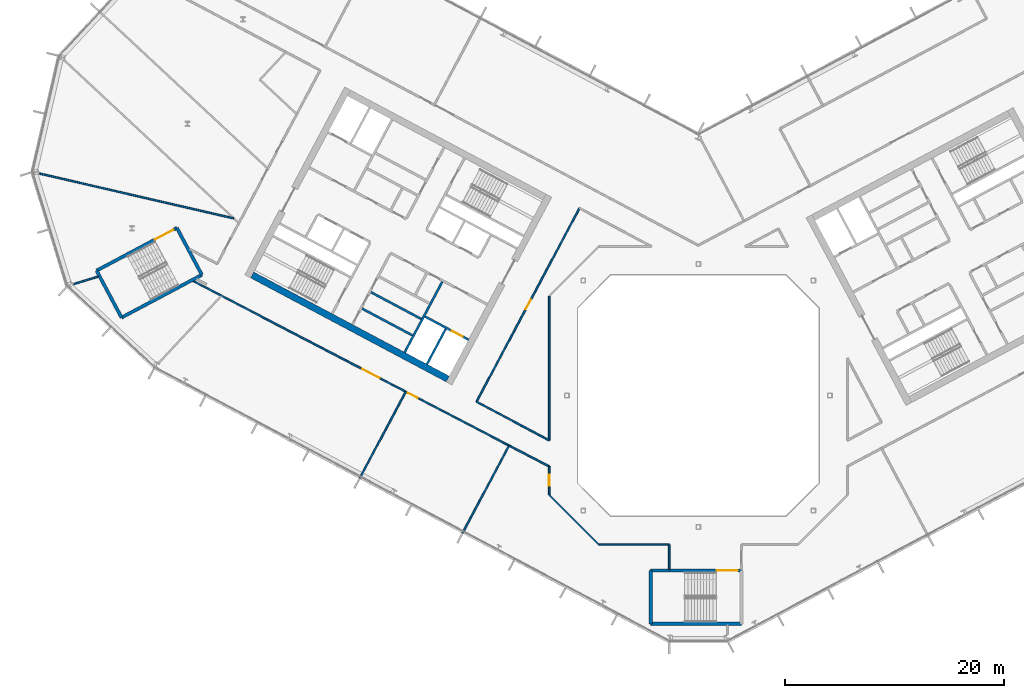
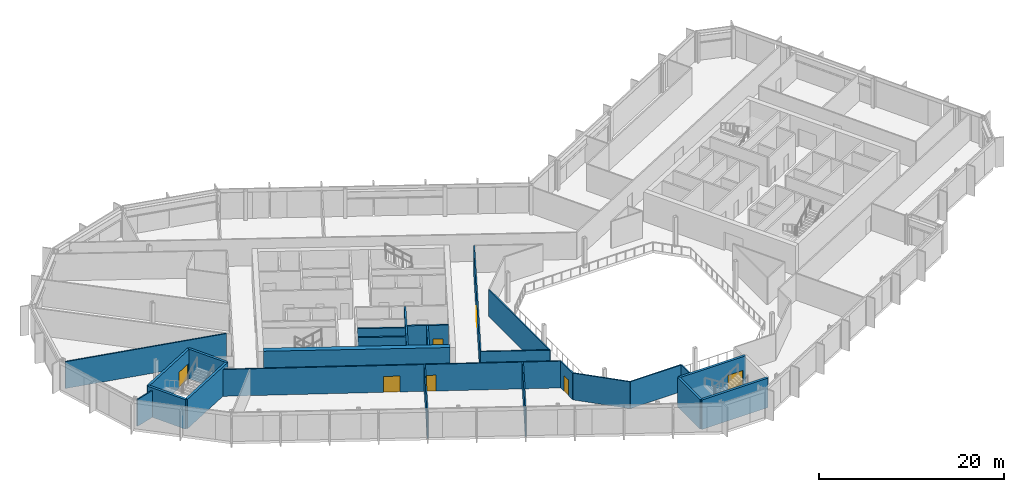
# One storey, part 13 of 27: 25 walls, 7 doors, 7 openings.
"""IFC4 building model written with IfcOpenShell, lengths in metres."""

import ifcopenshell
import ifcopenshell.guid

model = None  # the IFC model being written
_history = None  # IfcOwnerHistory: only IFC2X3 demands one
_inside = {}  # id of a spatial element -> (the spatial element, [elements in it])
_under = {}  # id of a project, library or spatial element -> (it, [spatial elements below it])
_declared = {}  # id of a project -> (the project, [libraries it declares])
_typed = {}  # id of a type object -> (the type object, [elements of that type])
_made_of = {}  # id of a material, layer set ... -> (it, [elements and type objects made of it])


def new_model(schema):
    """Start an empty IFC model of exactly this schema.

    Asked for "IFC4X3", IfcOpenShell would pick the latest addendum, in which some entities
    have other attributes; the version numbers below select the first issue.
    IFC2X3 requires an IfcOwnerHistory on every rooted entity: one is made here for all.
    """
    global model, _history
    if schema == "IFC4X3":
        model = ifcopenshell.file(schema_version=(4, 3, 0, 0))
    else:
        model = ifcopenshell.file(schema=schema)
    _inside.clear()
    _under.clear()
    _declared.clear()
    _typed.clear()
    _made_of.clear()
    _history = None
    if model.schema == "IFC2X3":
        org = make("IfcOrganization", Name="unknown")
        user = make(
            "IfcPersonAndOrganization",
            ThePerson=make("IfcPerson", FamilyName="unknown"),
            TheOrganization=org,
        )
        app = make(
            "IfcApplication",
            ApplicationDeveloper=org,
            Version="unknown",
            ApplicationFullName="unknown",
            ApplicationIdentifier="unknown",
        )
        _history = make(
            "IfcOwnerHistory",
            OwningUser=user,
            OwningApplication=app,
            ChangeAction="ADDED",
            CreationDate=0,
        )
    return model


def make(cls, **values):
    """One entity of the class cls with the attributes given. An attribute that is None is left unset."""
    return model.create_entity(
        cls, **{name: value for name, value in values.items() if value is not None}
    )


def rooted(cls, **values):
    """An entity with a GlobalId (a new one), such as an element, a storey or a relation."""
    return make(cls, GlobalId=ifcopenshell.guid.new(), OwnerHistory=_history, **values)


def si_unit(unit_type, name, prefix=None):
    """IfcSIUnit, for example si_unit("LENGTHUNIT", "METRE", prefix="MILLI")."""
    return make("IfcSIUnit", UnitType=unit_type, Prefix=prefix, Name=name)


def assignment(units):
    """IfcUnitAssignment: the units of a project."""
    return None if units is None else make("IfcUnitAssignment", Units=units)


def point(xyz):
    """IfcCartesianPoint."""
    return None if xyz is None else make("IfcCartesianPoint", Coordinates=xyz)


def direction(xyz):
    """IfcDirection."""
    return None if xyz is None else make("IfcDirection", DirectionRatios=xyz)


def frame(location, z_axis=None, x_axis=None):
    """IfcAxis2Placement3D, a coordinate frame: its origin and axes. An axis left out is left unset."""
    return make(
        "IfcAxis2Placement3D",
        Location=point(location),
        Axis=direction(z_axis),
        RefDirection=direction(x_axis),
    )


def frame_2d(location, x_axis=None):
    """IfcAxis2Placement2D, a coordinate frame in the plane: its origin and x axis."""
    return make(
        "IfcAxis2Placement2D", Location=point(location), RefDirection=direction(x_axis)
    )


def origin():
    """The frame at (0, 0, 0) with its axes left unset."""
    return frame((0.0, 0.0, 0.0))


def place(relative_to, where):
    """IfcLocalPlacement: puts the frame where relative to a parent placement (None: the world)."""
    return make(
        "IfcLocalPlacement", PlacementRelTo=relative_to, RelativePlacement=where
    )


def context(
    kind, dimensions, precision=None, world=None, true_north=None, identifier=None
):
    """IfcGeometricRepresentationContext, for example the 3D "Model" context."""
    return make(
        "IfcGeometricRepresentationContext",
        ContextIdentifier=identifier,
        ContextType=kind,
        CoordinateSpaceDimension=dimensions,
        Precision=precision,
        WorldCoordinateSystem=world,
        TrueNorth=true_north,
    )


def subcontext(parent, identifier, kind, view, scale=None):
    """IfcGeometricRepresentationSubContext, for example "Body" below "Model"."""
    return make(
        "IfcGeometricRepresentationSubContext",
        ContextIdentifier=identifier,
        ContextType=kind,
        ParentContext=parent,
        TargetScale=scale,
        TargetView=view,
    )


def project(units=None, contexts=None):
    """IfcProject with its units and contexts."""
    return rooted(
        "IfcProject",
        Name="project",
        RepresentationContexts=contexts,
        UnitsInContext=assignment(units),
    )


def spatial(cls, under=None, at=None, **own):
    """A site, building, storey or space (cls), placed at a placement, below another one or the project."""
    s = rooted(cls, ObjectPlacement=at, **own)
    if under is not None:
        _under.setdefault(under.id(), (under, []))[1].append(s)
    return s


def profile(cls, at=None, kind="AREA", **sizes):
    """A parametric profile (cls). Its sizes go by their IFC names, for example OverallWidth=200.0."""
    return make(cls, ProfileType=kind, Position=at, **sizes)


def rectangle(**sizes):
    """IfcRectangleProfileDef."""
    return profile("IfcRectangleProfileDef", **sizes)


def extrude(swept, where, along, depth):
    """IfcExtrudedAreaSolid: the profile swept, set in the frame where, extruded along a direction by depth."""
    return make(
        "IfcExtrudedAreaSolid",
        SweptArea=swept,
        Position=where,
        ExtrudedDirection=direction(along),
        Depth=depth,
    )


def shape(context_of_items, identifier, shape_type, items):
    """IfcShapeRepresentation: the items that make up one representation, for example the "Body"."""
    return make(
        "IfcShapeRepresentation",
        ContextOfItems=context_of_items,
        RepresentationIdentifier=identifier,
        RepresentationType=shape_type,
        Items=items,
    )


def material(Name=None, Category=None):
    """IfcMaterial."""
    return make("IfcMaterial", Name=Name, Category=Category)


def layer(
    of_material, thickness, ventilated=None, Name=None, Category=None, Priority=None
):
    """IfcMaterialLayer: one layer of a wall or slab, of a material (None: an air gap)."""
    return make(
        "IfcMaterialLayer",
        Material=of_material,
        LayerThickness=thickness,
        IsVentilated=ventilated,
        Name=Name,
        Category=Category,
        Priority=Priority,
    )


def layer_set(layers, Name=None):
    """IfcMaterialLayerSet."""
    return make("IfcMaterialLayerSet", MaterialLayers=layers, LayerSetName=Name)


def made_of(thing, what):
    """Note that an element or type object is made of a material, layer set ...; save() writes the relation."""
    if what is not None:
        _made_of.setdefault(what.id(), (what, []))[1].append(thing)
    return thing


def type_object(cls, material=None, **own):
    """A type object (cls), such as IfcWallType, which elements share."""
    return made_of(rooted(cls, **own), material)


def element(
    cls,
    number,
    at=None,
    inside=None,
    cuts=None,
    type_object=None,
    material=None,
    context=None,
    identifier="Body",
    shape_type=None,
    held_by="IfcProductDefinitionShape",
    body=None,
    shapes=None,
    **own,
):
    """One element of the class cls, such as IfcWall. Its Tag is "e" and its number.

    at: its placement. inside: the storey or other place that contains it. cuts: it is an
    opening in that element (IfcRelVoidsElement). A single representation is given by context,
    identifier, shape_type and body (its items); several are given by shapes. held_by: the class
    of the entity that holds the representations. save() writes the other relations.
    """
    e = rooted(cls, Tag="e%d" % number, ObjectPlacement=at, **own)
    if body is not None:
        shapes = [shape(context, identifier, shape_type, body)]
    if shapes is not None:
        e.Representation = make(held_by, Representations=shapes)
    if inside is not None:
        _inside.setdefault(inside.id(), (inside, []))[1].append(e)
    if cuts is not None:
        rooted(
            "IfcRelVoidsElement", RelatingBuildingElement=cuts, RelatedOpeningElement=e
        )
    if type_object is not None:
        _typed.setdefault(type_object.id(), (type_object, []))[1].append(e)
    return made_of(e, material)


def fill(opening, filler):
    """IfcRelFillsElement: the door or window that sits in an opening."""
    return rooted(
        "IfcRelFillsElement",
        RelatingOpeningElement=opening,
        RelatedBuildingElement=filler,
    )


def aggregate(whole, parts):
    """IfcRelAggregates: a whole, such as a stair, and the parts it consists of."""
    return rooted("IfcRelAggregates", RelatingObject=whole, RelatedObjects=parts)


def save(model, path):
    """Write the relations noted so far, then the file.

    IfcRelAggregates (storeys below a building ...), IfcRelContainedInSpatialStructure (elements
    in a storey), IfcRelDefinesByType, IfcRelAssociatesMaterial and IfcRelDeclares: one each for
    every whole, place, type object, material and project.
    """
    for whole, parts in _under.values():
        aggregate(whole, parts)
    for where, things in _inside.values():
        rooted(
            "IfcRelContainedInSpatialStructure",
            RelatedElements=things,
            RelatingStructure=where,
        )
    for kind, things in _typed.values():
        rooted("IfcRelDefinesByType", RelatedObjects=things, RelatingType=kind)
    for what, things in _made_of.values():
        rooted("IfcRelAssociatesMaterial", RelatedObjects=things, RelatingMaterial=what)
    for by, libraries in _declared.values():
        rooted("IfcRelDeclares", RelatingContext=by, RelatedDefinitions=libraries)
    model.write(path)


model = new_model("IFC4")

# Units and contexts
model_context = context("Model", 3, precision=1e-05, world=origin(), true_north=direction((0.0, 1.0)))
body_context = subcontext(model_context, "Body", "Model", "MODEL_VIEW")
ifc_project = project(units=[si_unit("LENGTHUNIT", "METRE"), si_unit("AREAUNIT", "SQUARE_METRE"), si_unit("VOLUMEUNIT", "CUBIC_METRE"), si_unit("PLANEANGLEUNIT", "RADIAN"), si_unit("MASSUNIT", "GRAM", prefix="KILO")], contexts=[model_context])

# Site, building, storey
site_placement = place(None, origin())
site = spatial("IfcSite", under=ifc_project, at=site_placement, CompositionType="ELEMENT")
building_placement = place(site_placement, origin())
building = spatial("IfcBuilding", under=site, at=building_placement, Name="Cormorant Relay Tower", CompositionType="ELEMENT")
storey_placement = place(building_placement, frame((0.0, 0.0, 216.89990234375)))
storey = spatial("IfcBuildingStorey", under=building, at=storey_placement, Name="L47", CompositionType="ELEMENT", Elevation=216.89990234375)

# Walls
ifc_material_1 = material(Name="Concrete 40 MPa", Category="concrete")
ifc_layer_1 = layer(ifc_material_1, 0.199951171875)
ifc_layer_set_1 = layer_set([ifc_layer_1], Name="Core internal wall 200")
wall_type_1 = type_object("IfcWallType", Name="Core internal wall 200", PredefinedType="SOLIDWALL", material=ifc_layer_set_1)
for number, where, z_axis, x_axis, name in (
    (1, (-25.279541015625, 6.985595703125, 0.0), (0.0, 0.0, 1.0), (-0.882934506056, 0.469496174655, 0.0), "L47 core A shaft and room wall"),
    (2, (-26.07763671875, 5.484619140625, 0.0), (0.0, 0.0, 1.0), (-0.882934506056, 0.469496174655, 0.0), "L47 core A shaft and room wall"),
):
    element("IfcWall", number, at=place(storey_placement, frame(where, z_axis=z_axis, x_axis=x_axis)), inside=storey, type_object=wall_type_1, Name=name, PredefinedType="SOLIDWALL", context=body_context, shape_type="SweptSolid", body=[
        extrude(rectangle(XDim=5.199951171875, YDim=0.199951171875, at=frame_2d((2.60009765625, 0.0))), origin(), (0.0, 0.0, 1.0), 3.900146484375),
    ])
ifc_material_2 = material(Name="Concrete 50 MPa", Category="concrete")
ifc_layer_2 = layer(ifc_material_2, 0.199951171875)
ifc_layer_set_2 = layer_set([ifc_layer_2], Name="Core shaft wall 200")
wall_type_2 = type_object("IfcWallType", Name="Core shaft wall 200", PredefinedType="SHEAR", material=ifc_layer_set_2)
wall_1_placement = place(storey_placement, frame((-23.04296875, 6.07958984375, 0.0), z_axis=(0.0, 0.0, 1.0), x_axis=(-0.469494272526, -0.882935517501, 0.0)))
element("IfcWall", 3, at=wall_1_placement, inside=storey, type_object=wall_type_2, Name="L47 core A shaft wall", PredefinedType="SHEAR", context=body_context, shape_type="SweptSolid", body=[
    extrude(rectangle(XDim=3.64990234375, YDim=0.199951171875, at=frame_2d((1.824951171875, 0.0))), origin(), (0.0, 0.0, 1.0), 3.900146484375),
])
wall_2_placement = place(storey_placement, frame((-23.360107421875, 10.38232421875, 0.0), z_axis=(0.0, 0.0, 1.0), x_axis=(-0.469480409012, -0.88294288918, 0.0)))
element("IfcWall", 4, at=wall_2_placement, inside=storey, type_object=wall_type_2, Name="L47 core A shaft wall", PredefinedType="SHEAR", context=body_context, shape_type="SweptSolid", body=[
    extrude(rectangle(XDim=7.300048828125, YDim=0.199951171875, at=frame_2d((3.64990234375, 0.0))), origin(), (0.0, 0.0, 1.0), 3.900146484375),
])

# Wall, opening, door
wall_3_placement = place(storey_placement, frame((-20.96533203125, 5.088134765625, 0.0), z_axis=(0.0, 0.0, 1.0), x_axis=(-0.882925986334, 0.469512196493, 0.0)))
wall_3 = element("IfcWall", 5, at=wall_3_placement, inside=storey, type_object=wall_type_2, Name="L47 core A shaft wall", PredefinedType="SHEAR", context=body_context, shape_type="SweptSolid", body=[
    extrude(rectangle(XDim=4.5, YDim=0.199951171875, at=frame_2d((2.25, 0.0))), origin(), (0.0, 0.0, 1.0), 3.900146484375),
])
opening_1_placement = place(wall_3_placement, frame((0.60009765625, 0.0, 0.0)))
opening_1 = element("IfcOpeningElement", 6, at=opening_1_placement, cuts=wall_3, Name="Opening LD1-063", PredefinedType="OPENING", context=body_context, shape_type="SweptSolid", body=[
    extrude(rectangle(XDim=1.10009765625, YDim=2.10009765625, at=frame_2d((0.550048828125, 1.050048828125))), frame((0.0, 0.10986328125, 0.0), z_axis=(0.0, -1.0, 0.0), x_axis=(1.0, 0.0, 0.0)), (0.0, 0.0, 1.0), 0.219970703125),
])
ifc_material_3 = material(Name="Stainless steel 316", Category="steel")
door_type_1 = type_object("IfcDoorType", Name="Lift landing door 1100x2100", OperationType="DOUBLE_DOOR_SLIDING", PredefinedType="DOOR", material=ifc_material_3)
door_1_placement = place(opening_1_placement, origin())
door_1 = element("IfcDoor", 7, at=door_1_placement, inside=storey, type_object=door_type_1, Name="FF1 landing door", OperationType="DOUBLE_DOOR_SLIDING", OverallHeight=2.10009765625, OverallWidth=1.10009765625, PredefinedType="DOOR", context=body_context, shape_type="SweptSolid", body=[
    extrude(rectangle(XDim=1.10009765625, YDim=2.10009765625, at=frame_2d((0.550048828125, 1.050048828125))), frame((0.0, 0.02490234375, 0.0), z_axis=(0.0, -1.0, 0.0), x_axis=(1.0, 0.0, 0.0)), (0.0, 0.0, 1.0), 0.050048828125),
])
fill(opening_1, door_1)

# Wall
ifc_material_4 = material(Name="Concrete 50 MPa", Category="concrete")
ifc_layer_3 = layer(ifc_material_4, 0.60009765625)
ifc_layer_set_3 = layer_set([ifc_layer_3], Name="Core wall 600")
wall_type_3 = type_object("IfcWallType", Name="Core wall 600", PredefinedType="SHEAR", material=ifc_layer_set_3)
wall_4_placement = place(storey_placement, frame((-22.86669921875, 1.51220703125, 0.0), z_axis=(0.0, 0.0, 1.0), x_axis=(-0.88294509198, 0.469476266226, 0.0)))
element("IfcWall", 8, at=wall_4_placement, inside=storey, type_object=wall_type_3, Name="L47 core A wall", PredefinedType="SHEAR", context=body_context, shape_type="SweptSolid", body=[
    extrude(rectangle(XDim=20.199951171875, YDim=0.60009765625, at=frame_2d((10.10009765625, 0.0))), origin(), (0.0, 0.0, 1.0), 3.900146484375),
])

# Wall, opening, door
ifc_material_5 = material(Name="Gypsum board fire partition")
ifc_layer_4 = layer(ifc_material_5, 0.14990234375)
ifc_layer_set_4 = layer_set([ifc_layer_4], Name="Corridor partition 150 EI 60")
wall_type_4 = type_object("IfcWallType", Name="Corridor partition 150 EI 60", PredefinedType="PARTITIONING", material=ifc_layer_set_4)
wall_5_placement = place(storey_placement, frame((-13.60009765625, -9.076904296875, 0.0), z_axis=(0.0, 0.0, 1.0), x_axis=(0.0, 1.0, 0.0)))
wall_5 = element("IfcWall", 9, at=wall_5_placement, inside=storey, type_object=wall_type_4, Name="wall/L47/part/015", PredefinedType="PARTITIONING", context=body_context, shape_type="SweptSolid", body=[
    extrude(rectangle(XDim=2.60400390625, YDim=0.14990234375, at=frame_2d((1.302001953125, 0.0))), origin(), (0.0, 0.0, 1.0), 3.5400390625),
])
opening_2_placement = place(wall_5_placement, frame((0.85009765625, 0.0, 0.0)))
opening_2 = element("IfcOpeningElement", 10, at=opening_2_placement, cuts=wall_5, Name="Opening DS-145", PredefinedType="OPENING", context=body_context, shape_type="SweptSolid", body=[
    extrude(rectangle(XDim=1.0, YDim=2.10009765625, at=frame_2d((0.5, 1.050048828125))), frame((0.0, 0.0849609375, 0.0), z_axis=(0.0, -1.0, 0.0), x_axis=(1.0, 0.0, 0.0)), (0.0, 0.0, 1.0), 0.169921875),
])
ifc_material_6 = material(Name="Timber door leaf", Category="wood")
door_type_2 = type_object("IfcDoorType", Name="Suite door 1000x2100", OperationType="SINGLE_SWING_LEFT", PredefinedType="DOOR", material=ifc_material_6)
door_2_placement = place(opening_2_placement, origin())
door_2 = element("IfcDoor", 11, at=door_2_placement, inside=storey, type_object=door_type_2, Name="door/L47/009", OperationType="SINGLE_SWING_RIGHT", OverallHeight=2.10009765625, OverallWidth=1.0, PredefinedType="DOOR", context=body_context, shape_type="SweptSolid", body=[
    extrude(rectangle(XDim=1.0, YDim=2.10009765625, at=frame_2d((0.5, 1.050048828125))), frame((0.0, 0.02490234375, 0.0), z_axis=(0.0, -1.0, 0.0), x_axis=(1.0, 0.0, 0.0)), (0.0, 0.0, 1.0), 0.050048828125),
])
fill(opening_2, door_2)

# Wall, openings, doors
wall_6_placement = place(storey_placement, frame((-13.60009765625, -6.472900390625, 0.0), z_axis=(0.0, 0.0, 1.0), x_axis=(-0.886887925569, 0.461984639874, 0.0)))
wall_6 = element("IfcWall", 12, at=wall_6_placement, inside=storey, type_object=wall_type_4, Name="wall/L47/part/016", PredefinedType="PARTITIONING", context=body_context, shape_type="SweptSolid", body=[
    extrude(rectangle(XDim=36.64599609375, YDim=0.14990234375, at=frame_2d((18.322998046875, 0.0))), origin(), (0.0, 0.0, 1.0), 3.5400390625),
])
opening_3_placement = place(wall_6_placement, frame((17.449951171875, 0.0, 0.0)))
opening_3 = element("IfcOpeningElement", 13, at=opening_3_placement, cuts=wall_6, Name="Opening DD-025", PredefinedType="OPENING", context=body_context, shape_type="SweptSolid", body=[
    extrude(rectangle(XDim=1.800048828125, YDim=2.10009765625, at=frame_2d((0.89990234375, 1.050048828125))), frame((0.0, 0.0849609375, 0.0), z_axis=(0.0, -1.0, 0.0), x_axis=(1.0, 0.0, 0.0)), (0.0, 0.0, 1.0), 0.169921875),
])
opening_4_placement = place(wall_6_placement, frame((13.550048828125, 0.0, 0.0)))
opening_4 = element("IfcOpeningElement", 14, at=opening_4_placement, cuts=wall_6, Name="Opening DS-144", PredefinedType="OPENING", context=body_context, shape_type="SweptSolid", body=[
    extrude(rectangle(XDim=1.0, YDim=2.10009765625, at=frame_2d((0.5, 1.050048828125))), frame((0.0, 0.0849609375, 0.0), z_axis=(0.0, -1.0, 0.0), x_axis=(1.0, 0.0, 0.0)), (0.0, 0.0, 1.0), 0.169921875),
])
door_3_placement = place(opening_4_placement, origin())
door_3 = element("IfcDoor", 15, at=door_3_placement, inside=storey, type_object=door_type_2, Name="door/L47/008", OperationType="SINGLE_SWING_RIGHT", OverallHeight=2.10009765625, OverallWidth=1.0, PredefinedType="DOOR", context=body_context, shape_type="SweptSolid", body=[
    extrude(rectangle(XDim=1.0, YDim=2.10009765625, at=frame_2d((0.5, 1.050048828125))), frame((0.0, 0.02490234375, 0.0), z_axis=(0.0, -1.0, 0.0), x_axis=(1.0, 0.0, 0.0)), (0.0, 0.0, 1.0), 0.050048828125),
])
fill(opening_4, door_3)
ifc_material_7 = material(Name="Timber door leaf", Category="wood")
door_type_3 = type_object("IfcDoorType", Name="Suite double door 1800x2100", OperationType="DOUBLE_DOOR_SINGLE_SWING", PredefinedType="DOOR", material=ifc_material_7)
door_4_placement = place(opening_3_placement, origin())
door_4 = element("IfcDoor", 16, at=door_4_placement, inside=storey, type_object=door_type_3, Name="door/L47/007", OperationType="DOUBLE_DOOR_SINGLE_SWING", OverallHeight=2.10009765625, OverallWidth=1.800048828125, PredefinedType="DOOR", context=body_context, shape_type="SweptSolid", body=[
    extrude(rectangle(XDim=1.800048828125, YDim=2.10009765625, at=frame_2d((0.89990234375, 1.050048828125))), frame((0.0, 0.02490234375, 0.0), z_axis=(0.0, -1.0, 0.0), x_axis=(1.0, 0.0, 0.0)), (0.0, 0.0, 1.0), 0.050048828125),
])
fill(opening_3, door_4)

# Walls
wall_7_placement = place(storey_placement, frame((-13.60009765625, -9.076904296875, 0.0), z_axis=(0.0, 0.0, 1.0), x_axis=(0.707106781187, -0.707106781187, 0.0)))
element("IfcWall", 17, at=wall_7_placement, inside=storey, type_object=wall_type_4, Name="wall/L47/part/023", PredefinedType="PARTITIONING", context=body_context, shape_type="SweptSolid", body=[
    extrude(rectangle(XDim=6.396728515625, YDim=0.14990234375, at=frame_2d((3.1982421875, 0.0))), origin(), (0.0, 0.0, 1.0), 3.5400390625),
])
wall_8_placement = place(storey_placement, frame((-2.64892578125, -15.875, 0.0), z_axis=(0.0, 0.0, 1.0), x_axis=(0.0, 1.0, 0.0)))
element("IfcWall", 18, at=wall_8_placement, inside=storey, type_object=wall_type_4, Name="wall/L47/part/024", PredefinedType="PARTITIONING", context=body_context, shape_type="SweptSolid", body=[
    extrude(rectangle(XDim=2.27490234375, YDim=0.14990234375, at=frame_2d((1.137451171875, 0.0))), origin(), (0.0, 0.0, 1.0), 3.5400390625),
])
wall_9_placement = place(storey_placement, frame((-2.64892578125, -13.60009765625, 0.0), z_axis=(0.0, 0.0, 1.0), x_axis=(-1.0, 0.0, 0.0)))
element("IfcWall", 19, at=wall_9_placement, inside=storey, type_object=wall_type_4, Name="wall/L47/part/025", PredefinedType="PARTITIONING", context=body_context, shape_type="SweptSolid", body=[
    extrude(rectangle(XDim=6.427978515625, YDim=0.14990234375, at=frame_2d((3.2138671875, 0.0))), origin(), (0.0, 0.0, 1.0), 3.5400390625),
])

# Wall, opening, door
wall_10_placement = place(storey_placement, frame((-20.235107421875, -0.56689453125, 0.0), z_axis=(0.0, 0.0, 1.0), x_axis=(0.469499398982, 0.882932791528, 0.0)))
wall_10 = element("IfcWall", 20, at=wall_10_placement, inside=storey, type_object=wall_type_4, Name="wall/L47/part/043", PredefinedType="PARTITIONING", context=body_context, shape_type="SweptSolid", body=[
    extrude(rectangle(XDim=20.000244140625, YDim=0.14990234375, at=frame_2d((10.0, 0.0))), origin(), (0.0, 0.0, 1.0), 3.5400390625),
])
opening_5_placement = place(wall_10_placement, frame((9.550048828125, 0.0, 0.0)))
opening_5 = element("IfcOpeningElement", 21, at=opening_5_placement, cuts=wall_10, Name="Opening DS-146", PredefinedType="OPENING", context=body_context, shape_type="SweptSolid", body=[
    extrude(rectangle(XDim=1.0, YDim=2.10009765625, at=frame_2d((0.5, 1.050048828125))), frame((0.0, 0.0849609375, 0.0), z_axis=(0.0, -1.0, 0.0), x_axis=(1.0, 0.0, 0.0)), (0.0, 0.0, 1.0), 0.169921875),
])
door_5_placement = place(opening_5_placement, frame((1.0, 0.0, 0.0), z_axis=(0.0, 0.0, 1.0), x_axis=(-1.0, 0.0, 0.0)))
door_5 = element("IfcDoor", 22, at=door_5_placement, inside=storey, type_object=door_type_2, Name="door/L47/010", OperationType="SINGLE_SWING_LEFT", OverallHeight=2.10009765625, OverallWidth=1.0, PredefinedType="DOOR", context=body_context, shape_type="SweptSolid", body=[
    extrude(rectangle(XDim=1.0, YDim=2.10009765625, at=frame_2d((0.5, 1.050048828125))), frame((0.0, 0.02490234375, 0.0), z_axis=(0.0, -1.0, 0.0), x_axis=(1.0, 0.0, 0.0)), (0.0, 0.0, 1.0), 0.050048828125),
])
fill(opening_5, door_5)

# Walls
wall_11_placement = place(storey_placement, frame((-13.60009765625, 9.076904296875, 0.0), z_axis=(0.0, 0.0, 1.0), x_axis=(0.0, -1.0, 0.0)))
element("IfcWall", 23, at=wall_11_placement, inside=storey, type_object=wall_type_4, Name="wall/L47/part/047", PredefinedType="PARTITIONING", context=body_context, shape_type="SweptSolid", body=[
    extrude(rectangle(XDim=13.1708984375, YDim=0.14990234375, at=frame_2d((6.58544921875, 0.0))), origin(), (0.0, 0.0, 1.0), 3.5400390625),
])
wall_12_placement = place(storey_placement, frame((-13.60009765625, -4.093994140625, 0.0), z_axis=(0.0, 0.0, 1.0), x_axis=(-0.882991591568, 0.469388803893, 0.0)))
element("IfcWall", 24, at=wall_12_placement, inside=storey, type_object=wall_type_4, Name="wall/L47/part/048", PredefinedType="PARTITIONING", context=body_context, shape_type="SweptSolid", body=[
    extrude(rectangle(XDim=7.51416015625, YDim=0.14990234375, at=frame_2d((3.757080078125, 0.0))), origin(), (0.0, 0.0, 1.0), 3.5400390625),
])
ifc_material_8 = material(Name="Concrete 50 MPa", Category="concrete")
ifc_layer_5 = layer(ifc_material_8, 0.300048828125)
ifc_layer_set_5 = layer_set([ifc_layer_5], Name="Remote stair wall 300")
wall_type_5 = type_object("IfcWallType", Name="Remote stair wall 300", PredefinedType="SHEAR", material=ifc_layer_set_5)
wall_13_placement = place(storey_placement, frame((3.949951171875, -20.824951171875, 0.0), z_axis=(0.0, 0.0, 1.0), x_axis=(-1.0, 0.0, 0.0)))
element("IfcWall", 25, at=wall_13_placement, inside=storey, type_object=wall_type_5, Name="L47 exit stair RK1 wall", PredefinedType="SHEAR", context=body_context, shape_type="SweptSolid", body=[
    extrude(rectangle(XDim=8.300048828125, YDim=0.300048828125, at=frame_2d((4.14990234375, 0.0))), origin(), (0.0, 0.0, 1.0), 3.900146484375),
])
wall_14_placement = place(storey_placement, frame((-4.35009765625, -20.824951171875, 0.0), z_axis=(0.0, 0.0, 1.0), x_axis=(0.0, 1.0, 0.0)))
element("IfcWall", 26, at=wall_14_placement, inside=storey, type_object=wall_type_5, Name="L47 exit stair RK1 wall", PredefinedType="SHEAR", context=body_context, shape_type="SweptSolid", body=[
    extrude(rectangle(XDim=4.849853515625, YDim=0.300048828125, at=frame_2d((2.4248046875, 0.0))), origin(), (0.0, 0.0, 1.0), 3.900146484375),
])

# Wall, opening, door
wall_15_placement = place(storey_placement, frame((-4.35009765625, -15.97509765625, 0.0), z_axis=(0.0, 0.0, 1.0), x_axis=(1.0, 0.0, 0.0)))
wall_15 = element("IfcWall", 27, at=wall_15_placement, inside=storey, type_object=wall_type_5, Name="L47 exit stair RK1 wall", PredefinedType="SHEAR", context=body_context, shape_type="SweptSolid", body=[
    extrude(rectangle(XDim=8.300048828125, YDim=0.300048828125, at=frame_2d((4.14990234375, 0.0))), origin(), (0.0, 0.0, 1.0), 3.900146484375),
])
opening_6_placement = place(wall_15_placement, frame((6.050048828125, 0.0, 0.0)))
opening_6 = element("IfcOpeningElement", 28, at=opening_6_placement, cuts=wall_15, Name="Opening CDE-014", PredefinedType="OPENING", context=body_context, shape_type="SweptSolid", body=[
    extrude(rectangle(XDim=1.89990234375, YDim=2.10009765625, at=frame_2d((0.949951171875, 1.050048828125))), frame((0.0, 0.159912109375, 0.0), z_axis=(0.0, -1.0, 0.0), x_axis=(1.0, 0.0, 0.0)), (0.0, 0.0, 1.0), 0.320068359375),
])
ifc_material_9 = material(Name="Steel fire door", Category="steel")
door_type_4 = type_object("IfcDoorType", Name="Remote stair door 1900x2100", OperationType="DOUBLE_DOOR_SINGLE_SWING", PredefinedType="DOOR", material=ifc_material_9)
door_6_placement = place(opening_6_placement, frame((1.89990234375, 0.0, 0.0), z_axis=(0.0, 0.0, 1.0), x_axis=(-1.0, 0.0, 0.0)))
door_6 = element("IfcDoor", 29, at=door_6_placement, inside=storey, type_object=door_type_4, Name="Exit stair RK1 door", OperationType="DOUBLE_DOOR_SINGLE_SWING", OverallHeight=2.10009765625, OverallWidth=1.89990234375, PredefinedType="DOOR", context=body_context, shape_type="SweptSolid", body=[
    extrude(rectangle(XDim=1.89990234375, YDim=2.10009765625, at=frame_2d((0.949951171875, 1.050048828125))), frame((0.0, 0.02490234375, 0.0), z_axis=(0.0, -1.0, 0.0), x_axis=(1.0, 0.0, 0.0)), (0.0, 0.0, 1.0), 0.050048828125),
])
fill(opening_6, door_6)

# Walls
wall_16_placement = place(storey_placement, frame((-47.57421875, 15.28955078125, 0.0), z_axis=(0.0, 0.0, 1.0), x_axis=(0.469443498566, -0.882962514297, 0.0)))
element("IfcWall", 30, at=wall_16_placement, inside=storey, type_object=wall_type_5, Name="L47 exit stair RP1 wall", PredefinedType="SHEAR", context=body_context, shape_type="SweptSolid", body=[
    extrude(rectangle(XDim=4.85009765625, YDim=0.300048828125, at=frame_2d((2.425048828125, 0.0))), origin(), (0.0, 0.0, 1.0), 3.900146484375),
])
wall_17_placement = place(storey_placement, frame((-45.29736328125, 11.007080078125, 0.0), z_axis=(0.0, 0.0, 1.0), x_axis=(-0.882951519127, -0.469464178475, 0.0)))
element("IfcWall", 31, at=wall_17_placement, inside=storey, type_object=wall_type_5, Name="L47 exit stair RP1 wall", PredefinedType="SHEAR", context=body_context, shape_type="SweptSolid", body=[
    extrude(rectangle(XDim=8.2998046875, YDim=0.300048828125, at=frame_2d((4.14990234375, 0.0))), origin(), (0.0, 0.0, 1.0), 3.900146484375),
])
wall_18_placement = place(storey_placement, frame((-52.625732421875, 7.110595703125, 0.0), z_axis=(0.0, 0.0, 1.0), x_axis=(-0.469464364128, 0.882951420416, 0.0)))
element("IfcWall", 32, at=wall_18_placement, inside=storey, type_object=wall_type_5, Name="L47 exit stair RP1 wall", PredefinedType="SHEAR", context=body_context, shape_type="SweptSolid", body=[
    extrude(rectangle(XDim=4.849853515625, YDim=0.300048828125, at=frame_2d((2.4248046875, 0.0))), origin(), (0.0, 0.0, 1.0), 3.900146484375),
])

# Wall, opening, door
wall_19_placement = place(storey_placement, frame((-54.902587890625, 11.392822265625, 0.0), z_axis=(0.0, 0.0, 1.0), x_axis=(0.882939326045, 0.469487110071, 0.0)))
wall_19 = element("IfcWall", 33, at=wall_19_placement, inside=storey, type_object=wall_type_5, Name="L47 exit stair RP1 wall", PredefinedType="SHEAR", context=body_context, shape_type="SweptSolid", body=[
    extrude(rectangle(XDim=8.300048828125, YDim=0.300048828125, at=frame_2d((4.14990234375, 0.0))), origin(), (0.0, 0.0, 1.0), 3.900146484375),
])
opening_7_placement = place(wall_19_placement, frame((6.050048828125, 0.0, 0.0)))
opening_7 = element("IfcOpeningElement", 34, at=opening_7_placement, cuts=wall_19, Name="Opening CDE-015", PredefinedType="OPENING", context=body_context, shape_type="SweptSolid", body=[
    extrude(rectangle(XDim=1.89990234375, YDim=2.10009765625, at=frame_2d((0.949951171875, 1.050048828125))), frame((0.0, 0.159912109375, 0.0), z_axis=(0.0, -1.0, 0.0), x_axis=(1.0, 0.0, 0.0)), (0.0, 0.0, 1.0), 0.320068359375),
])
door_7_placement = place(opening_7_placement, frame((1.89990234375, 0.0, 0.0), z_axis=(0.0, 0.0, 1.0), x_axis=(-1.0, 0.0, 0.0)))
door_7 = element("IfcDoor", 35, at=door_7_placement, inside=storey, type_object=door_type_4, Name="Exit stair RP1 door", OperationType="DOUBLE_DOOR_SINGLE_SWING", OverallHeight=2.10009765625, OverallWidth=1.89990234375, PredefinedType="DOOR", context=body_context, shape_type="SweptSolid", body=[
    extrude(rectangle(XDim=1.89990234375, YDim=2.10009765625, at=frame_2d((0.949951171875, 1.050048828125))), frame((0.0, 0.02490234375, 0.0), z_axis=(0.0, -1.0, 0.0), x_axis=(1.0, 0.0, 0.0)), (0.0, 0.0, 1.0), 0.050048828125),
])
fill(opening_7, door_7)

# Walls
ifc_material_10 = material(Name="Gypsum board partition")
ifc_layer_6 = layer(ifc_material_10, 0.14990234375)
ifc_layer_set_6 = layer_set([ifc_layer_6], Name="Tenant partition 150")
wall_type_6 = type_object("IfcWallType", Name="Tenant partition 150", PredefinedType="PARTITIONING", material=ifc_layer_set_6)
wall_20_placement = place(storey_placement, frame((-60.162109375, 20.264892578125, 0.0), z_axis=(0.0, 0.0, 1.0), x_axis=(0.974367298847, -0.224963034603, 0.0)))
element("IfcWall", 36, at=wall_20_placement, inside=storey, type_object=wall_type_6, Name="wall/L47/part/001", PredefinedType="PARTITIONING", context=body_context, shape_type="SweptSolid", body=[
    extrude(rectangle(XDim=18.256103515625, YDim=0.14990234375, at=frame_2d((9.1279296875, 0.0))), origin(), (0.0, 0.0, 1.0), 3.5400390625),
])
wall_21_placement = place(storey_placement, frame((-54.73193359375, 10.85693359375, 0.0), z_axis=(0.0, 0.0, 1.0), x_axis=(-0.956308315689, -0.292360061129, 0.0)))
element("IfcWall", 37, at=wall_21_placement, inside=storey, type_object=wall_type_6, Name="wall/L47/part/004", PredefinedType="PARTITIONING", context=body_context, shape_type="SweptSolid", body=[
    extrude(rectangle(XDim=2.36669921875, YDim=0.14990234375, at=frame_2d((1.183349609375, 0.0))), origin(), (0.0, 0.0, 1.0), 3.5400390625),
])
wall_22_placement = place(storey_placement, frame((-26.695068359375, 0.347900390625, 0.0), z_axis=(0.0, 0.0, 1.0), x_axis=(-0.469531763761, -0.8829155808, 0.0)))
element("IfcWall", 38, at=wall_22_placement, inside=storey, type_object=wall_type_6, Name="wall/L47/part/010", PredefinedType="PARTITIONING", context=body_context, shape_type="SweptSolid", body=[
    extrude(rectangle(XDim=8.974609375, YDim=0.14990234375, at=frame_2d((4.4873046875, 0.0))), origin(), (0.0, 0.0, 1.0), 3.5400390625),
])
wall_23_placement = place(storey_placement, frame((-17.263916015625, -4.56396484375, 0.0), z_axis=(0.0, 0.0, 1.0), x_axis=(-0.469490590471, -0.882937475396, 0.0)))
element("IfcWall", 39, at=wall_23_placement, inside=storey, type_object=wall_type_6, Name="wall/L47/part/020", PredefinedType="PARTITIONING", context=body_context, shape_type="SweptSolid", body=[
    extrude(rectangle(XDim=9.0654296875, YDim=0.14990234375, at=frame_2d((4.53271484375, 0.0))), origin(), (0.0, 0.0, 1.0), 3.5400390625),
])

save(model, "model.ifc")
